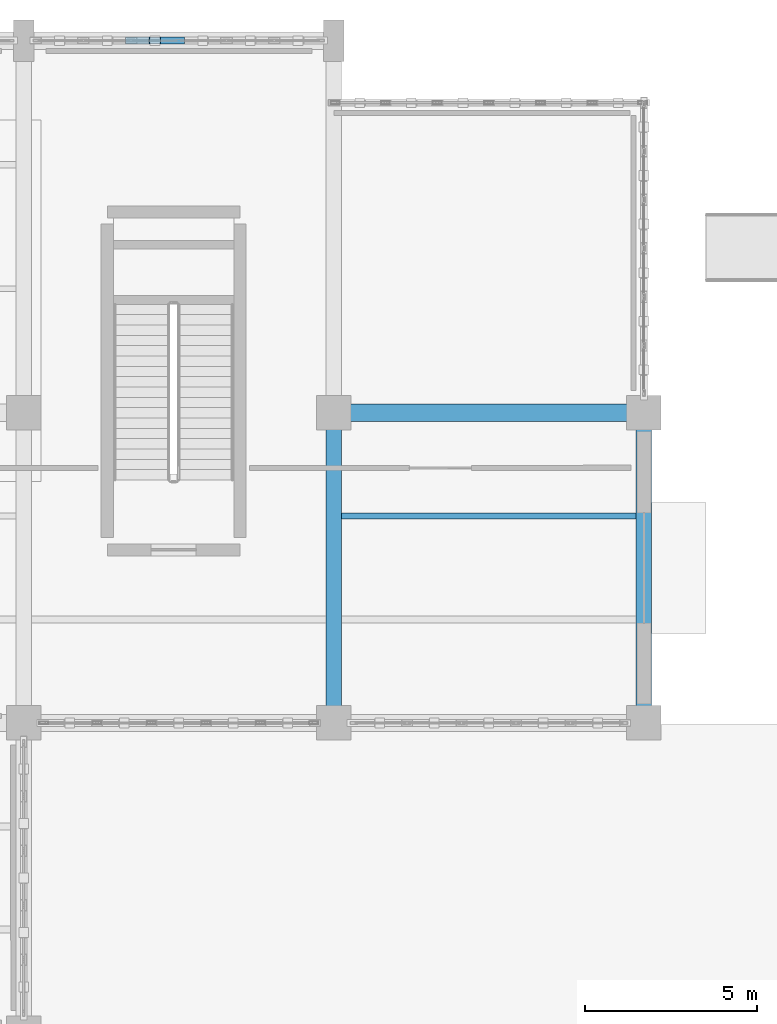
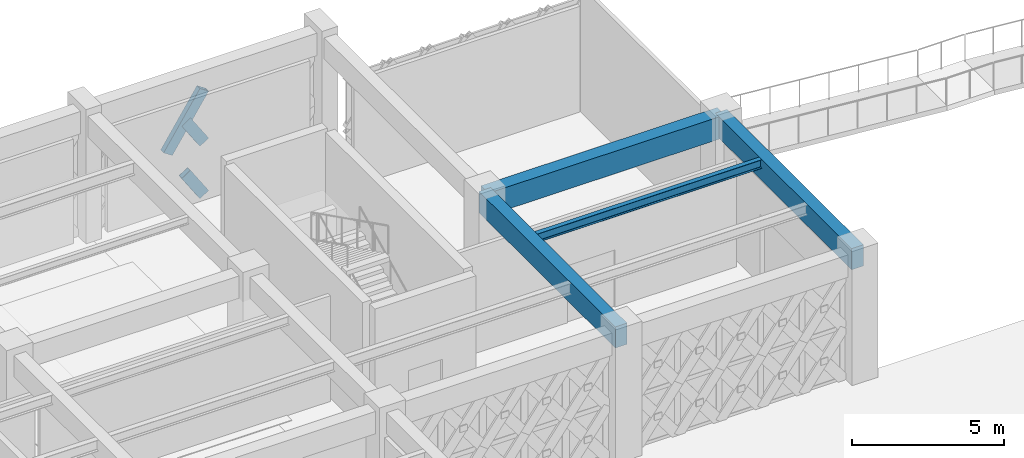
# One storey, part 73 of 140: 4 beams, 3 members.
"""IFC4 building model written with IfcOpenShell, lengths in metres."""

from ifc_helpers import new_model, si_unit, direction, frame, origin, origin_2d, place, context, subcontext, project, spatial, rectangle, hollow_rectangle, i_section, extrude, material, material_profile, profile_set, type_object, element, save


model = new_model("IFC4")

# Units and contexts
model_context = context("Model", 3, precision=1e-05, world=origin(), true_north=direction((0.0, 1.0)))
body_context = subcontext(model_context, "Body", "Model", "MODEL_VIEW")
ifc_project = project(units=[si_unit("LENGTHUNIT", "METRE"), si_unit("AREAUNIT", "SQUARE_METRE"), si_unit("VOLUMEUNIT", "CUBIC_METRE"), si_unit("PLANEANGLEUNIT", "RADIAN"), si_unit("MASSUNIT", "GRAM", prefix="KILO")], contexts=[model_context])

# Site, building, storey
site_placement = place(None, origin())
site = spatial("IfcSite", under=ifc_project, at=site_placement, CompositionType="ELEMENT")
building_placement = place(site_placement, origin())
building = spatial("IfcBuilding", under=site, at=building_placement, Name="Haizhuo Lancet Aquarium", CompositionType="ELEMENT")
storey_placement = place(building_placement, origin())
storey = spatial("IfcBuildingStorey", under=building, at=storey_placement, Name="L00", CompositionType="ELEMENT", Elevation=0.0)

# Beams
ifc_material_1 = material(Name="Concrete C40/50", Category="concrete")
ifc_material_profile_1 = material_profile(ifc_material_1, rectangle(XDim=0.449951171875, YDim=0.85009765625, at=origin_2d()), Name="RC-BM 450x850")
ifc_profile_set_1 = profile_set([ifc_material_profile_1], Name="Concrete C40/50")
beam_type_1 = type_object("IfcBeamType", Name="BM-RC-450x850", PredefinedType="BEAM", material=ifc_profile_set_1)
for number, where, z_axis, x_axis, name in (
    (1, (18.0, 36.0, 4.695068359375), (0.0, 1.0, 0.0), (-1.0, 0.0, 0.0), "L00 V5 primary girder BM-L00-V5-028"),
    (2, (27.0, 36.0, 4.695068359375), (0.0, 1.0, 0.0), (-1.0, 0.0, 0.0), "L00 V5 primary girder BM-L00-V5-032"),
):
    element("IfcBeam", number, at=place(storey_placement, frame(where, z_axis=z_axis, x_axis=x_axis)), inside=storey, type_object=beam_type_1, Name=name, PredefinedType="BEAM", context=body_context, shape_type="SweptSolid", body=[
        extrude(rectangle(XDim=0.449951171875, YDim=0.85009765625, at=origin_2d()), origin(), (0.0, 0.0, 1.0), 9.0),
    ])
ifc_material_profile_2 = material_profile(ifc_material_1, rectangle(XDim=0.5, YDim=0.89990234375, at=origin_2d()), Name="RC-BM 500x900")
ifc_profile_set_2 = profile_set([ifc_material_profile_2], Name="Concrete C40/50")
beam_type_2 = type_object("IfcBeamType", Name="BM-RC-500x900", PredefinedType="BEAM", material=ifc_profile_set_2)
beam_1_placement = place(storey_placement, frame((18.0, 45.0, 4.669921875), z_axis=(1.0, 0.0, 0.0), x_axis=(0.0, 1.0, 0.0)))
element("IfcBeam", 3, at=beam_1_placement, inside=storey, type_object=beam_type_2, Name="L00 V5 primary girder BM-L00-V5-031", PredefinedType="BEAM", context=body_context, shape_type="SweptSolid", body=[
    extrude(rectangle(XDim=0.5, YDim=0.89990234375, at=origin_2d()), origin(), (0.0, 0.0, 1.0), 9.0),
])
ifc_material_2 = material(Name="Steel S355", Category="steel")
ifc_material_profile_3 = material_profile(ifc_material_2, i_section(OverallWidth=0.175048828125, OverallDepth=0.35009765625, WebThickness=0.007080078125, FlangeThickness=0.010986328125, FilletRadius=0.013916015625, at=origin_2d()), Name="HN 350x175x7x11")
ifc_profile_set_3 = profile_set([ifc_material_profile_3], Name="Steel S355")
beam_type_3 = type_object("IfcBeamType", Name="JST-ST-HN350", PredefinedType="JOIST", material=ifc_profile_set_3)
beam_2_placement = place(storey_placement, frame((18.22509765625, 42.0, 4.945068359375), z_axis=(1.0, 0.0, 0.0), x_axis=(0.0, 1.0, 0.0)))
element("IfcBeam", 4, at=beam_2_placement, inside=storey, type_object=beam_type_3, Name="L00 V5 secondary floor joist 22", PredefinedType="JOIST", context=body_context, shape_type="SweptSolid", body=[
    extrude(i_section(OverallWidth=0.175048828125, OverallDepth=0.35009765625, WebThickness=0.007080078125, FlangeThickness=0.010986328125, FilletRadius=0.013916015625, at=origin_2d()), origin(), (0.0, 0.0, 1.0), 8.5498046875),
])

# Members
ifc_material_profile_4 = material_profile(ifc_material_2, hollow_rectangle(XDim=0.199951171875, YDim=0.39990234375, WallThickness=0.011962890625, at=origin_2d()), Name="RHS 200x400x12")
ifc_profile_set_4 = profile_set([ifc_material_profile_4], Name="Steel S355")
member_type = type_object("IfcMemberType", Name="MEM-LB-RHS200x400", PredefinedType="BRACE", material=ifc_profile_set_4)
member_1_placement = place(storey_placement, frame((13.5, 55.800048828125, 0.0), z_axis=(-0.548432389058, 0.0, 0.8361949023), x_axis=(0.0, -1.0, 0.0)))
element("IfcMember", 5, at=member_1_placement, inside=storey, type_object=member_type, Name="Gothic lancet split diagonal brace CW-V5-L00-119 5B1", PredefinedType="BRACE", context=body_context, shape_type="SweptSolid", body=[
    extrude(hollow_rectangle(XDim=0.199951171875, YDim=0.39990234375, WallThickness=0.011962890625, at=origin_2d()), origin(), (0.0, 0.0, 1.0), 1.261474609375),
])
member_2_placement = place(storey_placement, frame((12.114990234375, 55.800048828125, 2.110107421875), z_axis=(0.548770535976, 0.0, 0.83597302519), x_axis=(0.0, 1.0, 0.0)))
element("IfcMember", 6, at=member_2_placement, inside=storey, type_object=member_type, Name="Gothic lancet continuous diagonal brace CW-V5-L00-119 6A", PredefinedType="BRACE", context=body_context, shape_type="SweptSolid", body=[
    extrude(hollow_rectangle(XDim=0.199951171875, YDim=0.39990234375, WallThickness=0.011962890625, at=origin_2d()), origin(), (0.0, 0.0, 1.0), 2.52392578125),
])
member_3_placement = place(storey_placement, frame((13.5, 55.800048828125, 2.110107421875), z_axis=(-0.548432389058, 0.0, 0.8361949023), x_axis=(0.0, -1.0, 0.0)))
element("IfcMember", 7, at=member_3_placement, inside=storey, type_object=member_type, Name="Gothic lancet split diagonal brace CW-V5-L00-119 6B1", PredefinedType="BRACE", context=body_context, shape_type="SweptSolid", body=[
    extrude(hollow_rectangle(XDim=0.199951171875, YDim=0.39990234375, WallThickness=0.011962890625, at=origin_2d()), origin(), (0.0, 0.0, 1.0), 1.261474609375),
])

save(model, "model.ifc")
